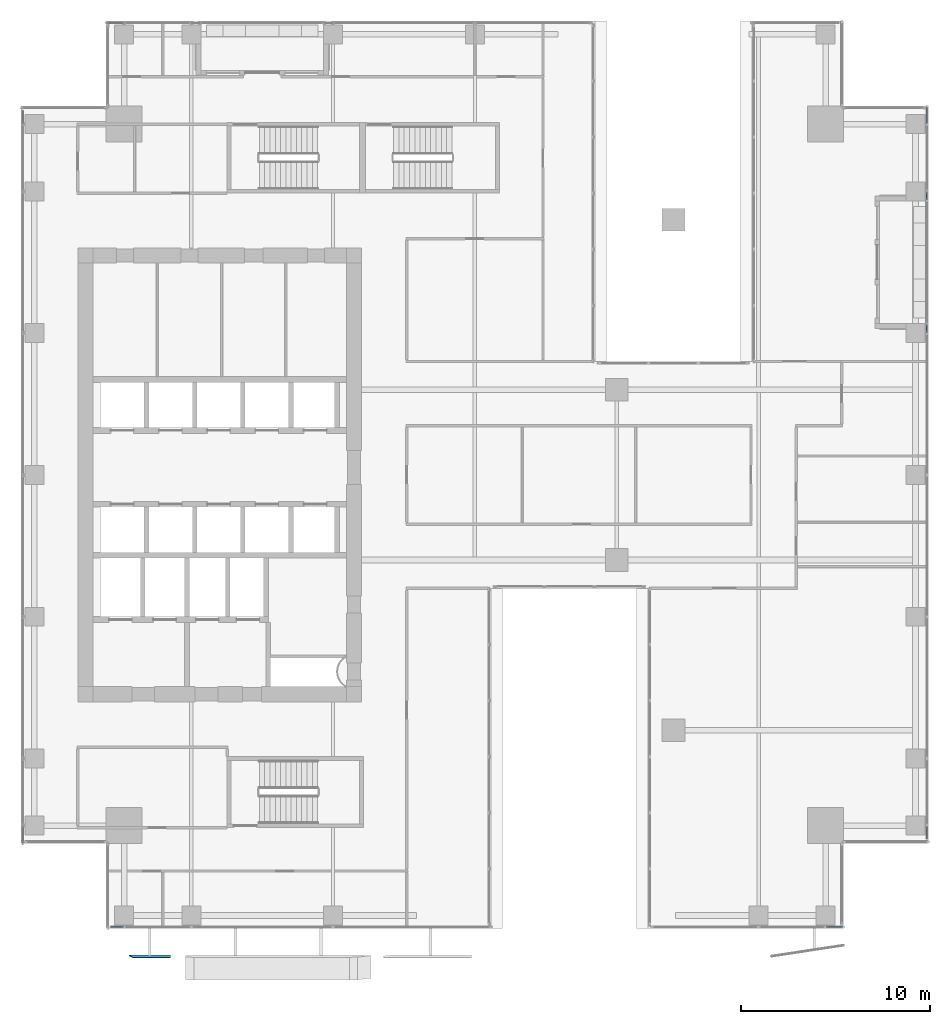
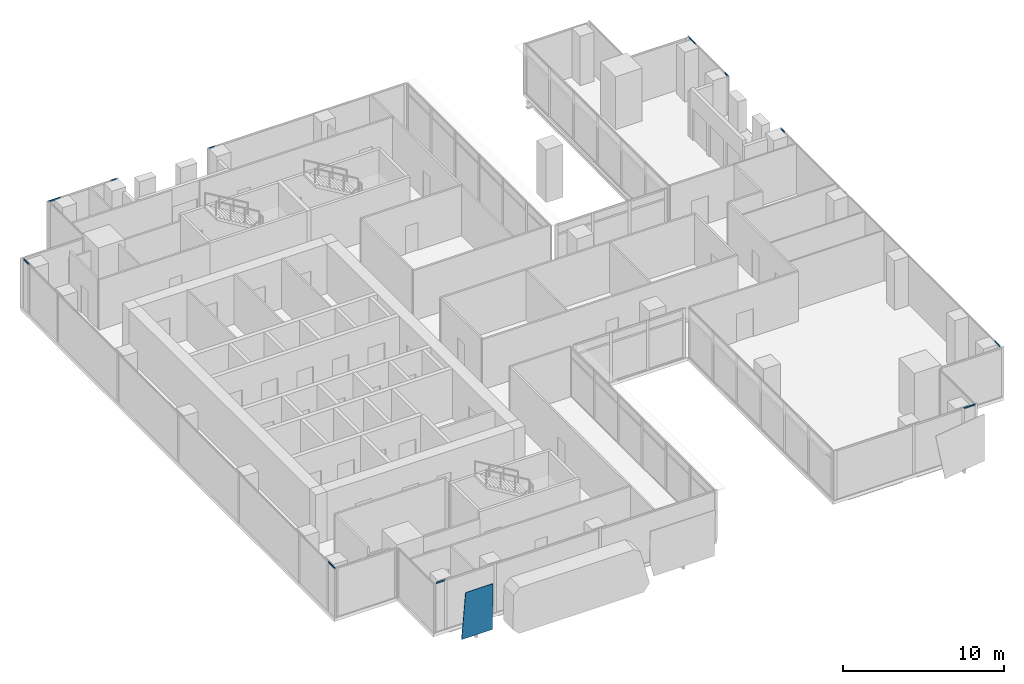
# One storey, part 28 of 40: 11 members, 1 plate, 7 elements without a shape of their own.
"""IFC4 building model written with IfcOpenShell, lengths in metres."""

from ifc_helpers import new_model, si_unit, direction, frame, origin, origin_2d, place, context, subcontext, project, spatial, polyline, hollow_rectangle, outline, extrude, source, transform, mapped, material, layer, layer_set, material_profile, profile_set, type_object, element, aggregate, save


model = new_model("IFC4")

# Units and contexts
model_context = context("Model", 3, precision=1e-05, world=origin(), true_north=direction((0.0, 1.0)))
body_context = subcontext(model_context, "Body", "Model", "MODEL_VIEW")
ifc_project = project(units=[si_unit("LENGTHUNIT", "METRE"), si_unit("AREAUNIT", "SQUARE_METRE"), si_unit("VOLUMEUNIT", "CUBIC_METRE"), si_unit("PLANEANGLEUNIT", "RADIAN"), si_unit("MASSUNIT", "GRAM", prefix="KILO")], contexts=[model_context])

# Site, building, storey
site_placement = place(None, origin())
site = spatial("IfcSite", under=ifc_project, at=site_placement, CompositionType="ELEMENT")
building_placement = place(site_placement, origin())
building = spatial("IfcBuilding", under=site, at=building_placement, Name="Khomas Fold Tower", CompositionType="ELEMENT")
storey_placement = place(building_placement, frame((0.0, 0.0, 180.699951171875)))
storey = spatial("IfcBuildingStorey", under=building, at=storey_placement, Name="L39", CompositionType="ELEMENT", Elevation=180.699951171875)

# Curtain wall, member
ifc_material_1 = material(Name="Aluminium framed double glazing", Category="aluminium")
curtain_wall_type = type_object("IfcCurtainWallType", Name="SK-Unitised clear-glass wall, office floors CW2", PredefinedType="NOTDEFINED", material=ifc_material_1)
curtain_wall_1_placement = place(storey_placement, origin())
curtain_wall_1 = element("IfcCurtainWall", 1, at=curtain_wall_1_placement, inside=storey, type_object=curtain_wall_type, Name="CW2 run L39 01-0", PredefinedType="NOTDEFINED")
ifc_material_2 = material(Name="Aluminium", Category="aluminium")
ifc_material_profile = material_profile(ifc_material_2, hollow_rectangle(XDim=0.050048828125, YDim=0.110107421875, WallThickness=0.00390625, at=origin_2d()), Name="SK-Unitised clear-glass wall, office floors transom CW2-T")
ifc_profile_set = profile_set([ifc_material_profile], Name="Aluminium")
member_type = type_object("IfcMemberType", Name="SK-Unitised clear-glass wall, office floors transom CW2-T", PredefinedType="USERDEFINED", material=ifc_profile_set)
shared_shape_1 = source(origin(), body_context, "Body", "SweptSolid", [
    extrude(hollow_rectangle(XDim=0.050048828125, YDim=0.110107421875, WallThickness=0.00390625, at=origin_2d()), origin(), (0.0, 0.0, 1.0), 0.659912109375),
])
member_1_placement = place(storey_placement, frame((7.760009765625, 3.10009765625, 3.695068359375), z_axis=(1.0, 0.0, 0.0), x_axis=(0.0, 1.0, 0.0)))
member_1 = element("IfcMember", 2, at=member_1_placement, type_object=member_type, Name="CW2 transom 1", ObjectType="TRANSOM", PredefinedType="USERDEFINED", context=body_context, shape_type="MappedRepresentation", body=[
    mapped(shared_shape_1, transform((0.0, 0.0, 0.0))),
])
aggregate(curtain_wall_1, [member_1])

curtain_wall_2_placement = place(storey_placement, origin())
curtain_wall_2 = element("IfcCurtainWall", 3, at=curtain_wall_2_placement, inside=storey, type_object=curtain_wall_type, Name="CW2 run L39 08-0", PredefinedType="NOTDEFINED")
member_2_placement = place(storey_placement, frame((50.89990234375, 7.760009765625, 3.695068359375), z_axis=(0.0, 1.0, 0.0), x_axis=(-1.0, 0.0, 0.0)))
member_2 = element("IfcMember", 4, at=member_2_placement, type_object=member_type, Name="CW2 transom 1", ObjectType="TRANSOM", PredefinedType="USERDEFINED", context=body_context, shape_type="MappedRepresentation", body=[
    mapped(shared_shape_1, transform((0.0, 0.0, 0.0))),
])

curtain_wall_3_placement = place(storey_placement, origin())
curtain_wall_3 = element("IfcCurtainWall", 5, at=curtain_wall_3_placement, inside=storey, type_object=curtain_wall_type, Name="CW2 run L39 18-0", PredefinedType="NOTDEFINED")
member_3_placement = place(storey_placement, frame((3.10009765625, 46.239990234375, 3.695068359375), z_axis=(0.0, -1.0, 0.0), x_axis=(1.0, 0.0, 0.0)))
member_3 = element("IfcMember", 6, at=member_3_placement, type_object=member_type, Name="CW2 transom 1", ObjectType="TRANSOM", PredefinedType="USERDEFINED", context=body_context, shape_type="MappedRepresentation", body=[
    mapped(shared_shape_1, transform((0.0, 0.0, 0.0))),
])

# Member
shared_shape_2 = source(origin(), body_context, "Body", "SweptSolid", [
    extrude(hollow_rectangle(XDim=0.050048828125, YDim=0.110107421875, WallThickness=0.00390625, at=origin_2d()), origin(), (0.0, 0.0, 1.0), 0.409912109375),
])
member_4_placement = place(storey_placement, frame((50.89990234375, 34.530029296875, 3.695068359375), z_axis=(0.0, 1.0, 0.0), x_axis=(-1.0, 0.0, 0.0)))
member_4 = element("IfcMember", 7, at=member_4_placement, type_object=member_type, Name="CW2 transom 6", ObjectType="TRANSOM", PredefinedType="USERDEFINED", context=body_context, shape_type="MappedRepresentation", body=[
    mapped(shared_shape_2, transform((0.0, 0.0, 0.0))),
])

aggregate(curtain_wall_2, [member_2, member_4])

# Curtain wall, member
curtain_wall_4_placement = place(storey_placement, origin())
curtain_wall_4 = element("IfcCurtainWall", 8, at=curtain_wall_4_placement, inside=storey, type_object=curtain_wall_type, Name="CW2 run L39 08-1", PredefinedType="NOTDEFINED")
member_5_placement = place(storey_placement, frame((50.89990234375, 41.56005859375, 3.695068359375), z_axis=(0.0, 1.0, 0.0), x_axis=(-1.0, 0.0, 0.0)))
member_5 = element("IfcMember", 9, at=member_5_placement, type_object=member_type, Name="CW2 transom 1", ObjectType="TRANSOM", PredefinedType="USERDEFINED", context=body_context, shape_type="MappedRepresentation", body=[
    mapped(shared_shape_2, transform((0.0, 0.0, 0.0))),
])

curtain_wall_5_placement = place(storey_placement, origin())
curtain_wall_5 = element("IfcCurtainWall", 10, at=curtain_wall_5_placement, inside=storey, type_object=curtain_wall_type, Name="CW2 run L39 15-0", PredefinedType="NOTDEFINED")
member_6_placement = place(storey_placement, frame((19.469970703125, 50.89990234375, 3.695068359375), z_axis=(-1.0, 0.0, 0.0), x_axis=(0.0, -1.0, 0.0)))
member_6 = element("IfcMember", 11, at=member_6_placement, type_object=member_type, Name="CW2 transom 3", ObjectType="TRANSOM", PredefinedType="USERDEFINED", context=body_context, shape_type="MappedRepresentation", body=[
    mapped(shared_shape_2, transform((0.0, 0.0, 0.0))),
])
aggregate(curtain_wall_5, [member_6])

curtain_wall_6_placement = place(storey_placement, origin())
curtain_wall_6 = element("IfcCurtainWall", 12, at=curtain_wall_6_placement, inside=storey, type_object=curtain_wall_type, Name="CW2 run L39 15-1", PredefinedType="NOTDEFINED")
member_7_placement = place(storey_placement, frame((12.43994140625, 50.89990234375, 3.695068359375), z_axis=(-1.0, 0.0, 0.0), x_axis=(0.0, -1.0, 0.0)))
member_7 = element("IfcMember", 13, at=member_7_placement, type_object=member_type, Name="CW2 transom 1", ObjectType="TRANSOM", PredefinedType="USERDEFINED", context=body_context, shape_type="MappedRepresentation", body=[
    mapped(shared_shape_2, transform((0.0, 0.0, 0.0))),
])

curtain_wall_7_placement = place(storey_placement, origin())
curtain_wall_7 = element("IfcCurtainWall", 14, at=curtain_wall_7_placement, inside=storey, type_object=curtain_wall_type, Name="CW2 run L39 05-0", PredefinedType="NOTDEFINED")
shared_shape_3 = source(origin(), body_context, "Body", "SweptSolid", [
    extrude(hollow_rectangle(XDim=0.050048828125, YDim=0.110107421875, WallThickness=0.00390625, at=origin_2d()), origin(), (0.0, 0.0, 1.0), 0.85986328125),
])
member_8_placement = place(storey_placement, frame((45.580078125, 3.10009765625, 3.695068359375), z_axis=(1.0, 0.0, 0.0), x_axis=(0.0, 1.0, 0.0)))
member_8 = element("IfcMember", 15, at=member_8_placement, type_object=member_type, Name="CW2 transom 3", ObjectType="TRANSOM", PredefinedType="USERDEFINED", context=body_context, shape_type="MappedRepresentation", body=[
    mapped(shared_shape_3, transform((0.0, 0.0, 0.0))),
])
aggregate(curtain_wall_7, [member_8])

# Member
member_9_placement = place(storey_placement, frame((50.89990234375, 45.580078125, 3.695068359375), z_axis=(0.0, 1.0, 0.0), x_axis=(-1.0, 0.0, 0.0)))
member_9 = element("IfcMember", 16, at=member_9_placement, type_object=member_type, Name="CW2 transom 3", ObjectType="TRANSOM", PredefinedType="USERDEFINED", context=body_context, shape_type="MappedRepresentation", body=[
    mapped(shared_shape_3, transform((0.0, 0.0, 0.0))),
])

aggregate(curtain_wall_4, [member_5, member_9])

member_10_placement = place(storey_placement, frame((8.419921875, 50.89990234375, 3.695068359375), z_axis=(-1.0, 0.0, 0.0), x_axis=(0.0, -1.0, 0.0)))
member_10 = element("IfcMember", 17, at=member_10_placement, type_object=member_type, Name="CW2 transom 3", ObjectType="TRANSOM", PredefinedType="USERDEFINED", context=body_context, shape_type="MappedRepresentation", body=[
    mapped(shared_shape_3, transform((0.0, 0.0, 0.0))),
])

aggregate(curtain_wall_6, [member_7, member_10])

member_11_placement = place(storey_placement, frame((3.10009765625, 8.419921875, 3.695068359375), z_axis=(0.0, -1.0, 0.0), x_axis=(1.0, 0.0, 0.0)))
member_11 = element("IfcMember", 18, at=member_11_placement, type_object=member_type, Name="CW2 transom 8", ObjectType="TRANSOM", PredefinedType="USERDEFINED", context=body_context, shape_type="MappedRepresentation", body=[
    mapped(shared_shape_3, transform((0.0, 0.0, 0.0))),
])

aggregate(curtain_wall_3, [member_3, member_11])

# Plate
ifc_material_3 = material(Name="Clear laminated glass", Category="glass")
ifc_layer = layer(ifc_material_3, 0.0400390625)
ifc_layer_set = layer_set([ifc_layer], Name="Clear laminated glass")
plate_type = type_object("IfcPlateType", Name="SK-Clear laminated glass leaf", PredefinedType="SHEET", material=ifc_layer_set)
plate_placement = place(storey_placement, frame((10.89990234375, 1.59912109375, 0.0), z_axis=(0.0, 0.999510801098, 0.031275525377), x_axis=(-1.0, 0.0, 0.0)))
element("IfcPlate", 19, at=plate_placement, inside=storey, type_object=plate_type, Name="OUTER SKIN glass L39 SG099-1", PredefinedType="SHEET", context=body_context, shape_type="SweptSolid", body=[
    extrude(outline(polyline([(0.0, 0.0), (2.19775390625, 0.0), (1.9755859375, 3.551786358110002), (0.0, 3.551786358110002), (0.0, 0.0)])), origin(), (0.0, 0.0, -1.0), 0.0400390625),
])

save(model, "model.ifc")
